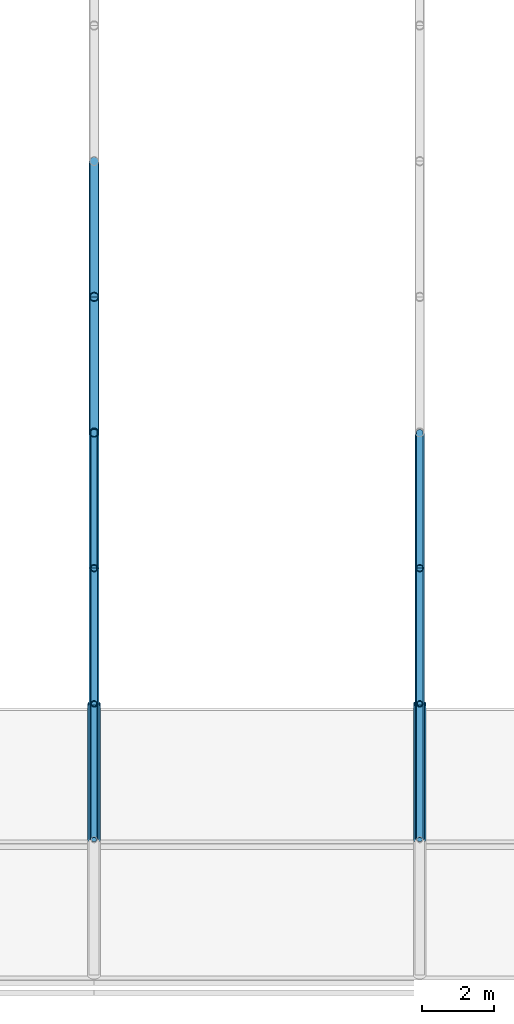
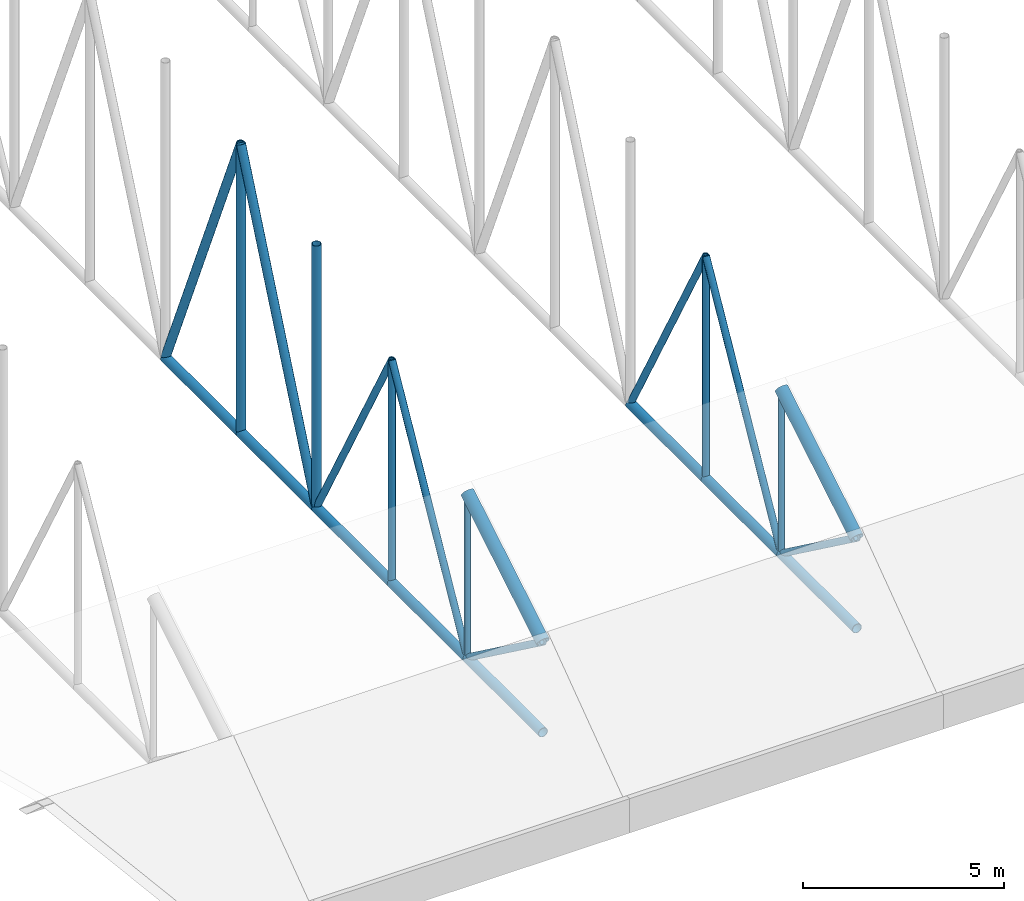
# One storey, part 60 of 153: 24 members.
"""IFC4 building model written with IfcOpenShell, lengths in metres."""

from ifc_helpers import new_model, si_unit, direction, frame, origin, origin_2d, place, context, subcontext, project, spatial, hollow_circle, extrude, material, material_profile, profile_set, type_object, element, save


model = new_model("IFC4")

# Units and contexts
model_context = context("Model", 3, precision=1e-05, world=origin(), true_north=direction((0.0, 1.0)))
body_context = subcontext(model_context, "Body", "Model", "MODEL_VIEW")
ifc_project = project(units=[si_unit("LENGTHUNIT", "METRE"), si_unit("AREAUNIT", "SQUARE_METRE"), si_unit("VOLUMEUNIT", "CUBIC_METRE"), si_unit("PLANEANGLEUNIT", "RADIAN"), si_unit("MASSUNIT", "GRAM", prefix="KILO")], contexts=[model_context])

# Site, building, storey
site_placement = place(None, origin())
site = spatial("IfcSite", under=ifc_project, at=site_placement, CompositionType="ELEMENT")
building_placement = place(site_placement, origin())
building = spatial("IfcBuilding", under=site, at=building_placement, Name="Baradari Gate Terminus", CompositionType="ELEMENT")
storey_placement = place(building_placement, frame((0.0, 0.0, 11.699951171875)))
storey = spatial("IfcBuildingStorey", under=building, at=storey_placement, Name="L02", CompositionType="ELEMENT", Elevation=11.699951171875)

# Members
ifc_material_1 = material(Name="Steel S355", Category="steel")
ifc_material_profile_1 = material_profile(ifc_material_1, hollow_circle(Radius=0.136474609375, WallThickness=0.012451171875, at=origin_2d()), Name="CHS 273x12.5")
ifc_profile_set_1 = profile_set([ifc_material_profile_1], Name="Steel S355")
member_type_1 = type_object("IfcMemberType", Name="Shed bottom chord CHS 273x12.5", PredefinedType="CHORD", material=ifc_profile_set_1)
for number, where, z_axis, x_axis, name in (
    (1, (207.0, 39.75, 0.136474609375), (0.0, 1.0, 0.0), (-1.0, 0.0, 0.0), "TR/L02/S207-BC01"),
    (2, (207.0, 43.5, 0.136474609375), (0.0, 1.0, 0.0), (-1.0, 0.0, 0.0), "TR/L02/S207-BC02"),
    (3, (207.0, 47.25, 0.136474609375), (0.0, 1.0, 0.0), (-1.0, 0.0, 0.0), "TR/L02/S207-BC03"),
    (4, (207.0, 51.0, 0.136474609375), (0.0, 1.0, 0.0), (-1.0, 0.0, 0.0), "TR/L02/S207-BC04"),
    (5, (207.0, 54.75, 0.136474609375), (0.0, 1.0, 0.0), (-1.0, 0.0, 0.0), "TR/L02/S207-BC05"),
    (6, (216.0, 39.75, 0.136474609375), (0.0, 1.0, 0.0), (-1.0, 0.0, 0.0), "TR/L02/S216-BC01"),
    (7, (216.0, 43.5, 0.136474609375), (0.0, 1.0, 0.0), (-1.0, 0.0, 0.0), "TR/L02/S216-BC02"),
    (8, (216.0, 47.25, 0.136474609375), (0.0, 1.0, 0.0), (-1.0, 0.0, 0.0), "TR/L02/S216-BC03"),
):
    element("IfcMember", number, at=place(storey_placement, frame(where, z_axis=z_axis, x_axis=x_axis)), inside=storey, type_object=member_type_1, Name=name, PredefinedType="CHORD", context=body_context, shape_type="SweptSolid", body=[
        extrude(hollow_circle(Radius=0.136474609375, WallThickness=0.012451171875, at=origin_2d()), origin(), (0.0, 0.0, 1.0), 3.75),
    ])
ifc_material_2 = material(Name="Steel S355", Category="steel")
ifc_material_profile_2 = material_profile(ifc_material_2, hollow_circle(Radius=0.177734375, WallThickness=0.01611328125, at=origin_2d()), Name="CHS 355.6x16")
ifc_profile_set_2 = profile_set([ifc_material_profile_2], Name="Steel S355")
member_type_2 = type_object("IfcMemberType", Name="Shed top chord CHS 355.6x16", PredefinedType="CHORD", material=ifc_profile_set_2)
for number, where, z_axis, x_axis, name in (
    (9, (207.0, 39.75, 2.886474609375), (0.0, 0.857492925713, 0.514495755428), (-1.0, 0.0, 0.0), "TR/L02/S207-TC01"),
    (10, (216.0, 39.75, 2.886474609375), (0.0, 0.857492925713, 0.514495755428), (-1.0, 0.0, 0.0), "TR/L02/S216-TC01"),
):
    element("IfcMember", number, at=place(storey_placement, frame(where, z_axis=z_axis, x_axis=x_axis)), inside=storey, type_object=member_type_2, Name=name, PredefinedType="CHORD", context=body_context, shape_type="SweptSolid", body=[
        extrude(hollow_circle(Radius=0.177734375, WallThickness=0.01611328125, at=origin_2d()), origin(), (0.0, 0.0, 1.0), 4.373291015625),
    ])
ifc_material_3 = material(Name="Steel S355", Category="steel")
ifc_material_profile_3 = material_profile(ifc_material_3, hollow_circle(Radius=0.096923828125, WallThickness=0.008056640625, at=origin_2d()), Name="CHS 193.7x8")
ifc_profile_set_3 = profile_set([ifc_material_profile_3], Name="Steel S355")
member_type_3 = type_object("IfcMemberType", Name="Shed truss diagonal CHS 193.7x8", PredefinedType="BRACE", material=ifc_profile_set_3)
member_1_placement = place(storey_placement, frame((207.0, 39.75, 2.886474609375), z_axis=(0.0, 0.806404995856, -0.591363663628), x_axis=(-1.0, 0.0, 0.0)))
element("IfcMember", 11, at=member_1_placement, inside=storey, type_object=member_type_3, Name="TR/L02/S207-SD01", PredefinedType="BRACE", context=body_context, shape_type="SweptSolid", body=[
    extrude(hollow_circle(Radius=0.096923828125, WallThickness=0.008056640625, at=origin_2d()), origin(), (0.0, 0.0, 1.0), 4.650390625),
])
for number, where, z_axis, x_axis, name in (
    (12, (207.0, 47.25, 6.886474609375), (0.0, -0.485642931179, -0.874157276122), (1.0, 0.0, 0.0), "TR/L02/S207-SD02"),
    (13, (207.0, 47.25, 6.886474609375), (0.0, 0.485642931179, -0.874157276122), (-1.0, 0.0, 0.0), "TR/L02/S207-SD03"),
):
    element("IfcMember", number, at=place(storey_placement, frame(where, z_axis=z_axis, x_axis=x_axis)), inside=storey, type_object=member_type_3, Name=name, PredefinedType="BRACE", context=body_context, shape_type="SweptSolid", body=[
        extrude(hollow_circle(Radius=0.096923828125, WallThickness=0.008056640625, at=origin_2d()), origin(), (0.0, 0.0, 1.0), 7.7216796875),
    ])
member_2_placement = place(storey_placement, frame((216.0, 39.75, 2.886474609375), z_axis=(0.0, 0.806404995856, -0.591363663628), x_axis=(-1.0, 0.0, 0.0)))
element("IfcMember", 14, at=member_2_placement, inside=storey, type_object=member_type_3, Name="TR/L02/S216-SD01", PredefinedType="BRACE", context=body_context, shape_type="SweptSolid", body=[
    extrude(hollow_circle(Radius=0.096923828125, WallThickness=0.008056640625, at=origin_2d()), origin(), (0.0, 0.0, 1.0), 4.650390625),
])
for number, where, z_axis, x_axis, name in (
    (15, (216.0, 47.25, 6.886474609375), (0.0, -0.485642931179, -0.874157276122), (1.0, 0.0, 0.0), "TR/L02/S216-SD02"),
    (16, (216.0, 47.25, 6.886474609375), (0.0, 0.485642931179, -0.874157276122), (-1.0, 0.0, 0.0), "TR/L02/S216-SD03"),
):
    element("IfcMember", number, at=place(storey_placement, frame(where, z_axis=z_axis, x_axis=x_axis)), inside=storey, type_object=member_type_3, Name=name, PredefinedType="BRACE", context=body_context, shape_type="SweptSolid", body=[
        extrude(hollow_circle(Radius=0.096923828125, WallThickness=0.008056640625, at=origin_2d()), origin(), (0.0, 0.0, 1.0), 7.7216796875),
    ])
ifc_material_4 = material(Name="Steel S355", Category="steel")
ifc_material_profile_4 = material_profile(ifc_material_4, hollow_circle(Radius=0.122314453125, WallThickness=0.010009765625, at=origin_2d()), Name="CHS 244.5x10")
ifc_profile_set_4 = profile_set([ifc_material_profile_4], Name="Steel S355")
member_type_4 = type_object("IfcMemberType", Name="Shed truss diagonal CHS 244.5x10", PredefinedType="BRACE", material=ifc_profile_set_4)
for number, where, z_axis, x_axis, name in (
    (17, (207.0, 54.75, 8.886474609375), (0.0, -0.393919298579, -0.919145030018), (1.0, 0.0, 0.0), "TR/L02/S207-SD04"),
    (18, (207.0, 54.75, 8.886474609375), (0.0, 0.393919298579, -0.919145030018), (-1.0, 0.0, 0.0), "TR/L02/S207-SD05"),
):
    element("IfcMember", number, at=place(storey_placement, frame(where, z_axis=z_axis, x_axis=x_axis)), inside=storey, type_object=member_type_4, Name=name, PredefinedType="BRACE", context=body_context, shape_type="SweptSolid", body=[
        extrude(hollow_circle(Radius=0.122314453125, WallThickness=0.010009765625, at=origin_2d()), origin(), (0.0, 0.0, 1.0), 9.519775390625),
    ])
ifc_material_5 = material(Name="Steel S355", Category="steel")
ifc_material_profile_5 = material_profile(ifc_material_5, hollow_circle(Radius=0.084228515625, WallThickness=0.008056640625, at=origin_2d()), Name="CHS 168.3x8")
ifc_profile_set_5 = profile_set([ifc_material_profile_5], Name="Steel S355")
member_type_5 = type_object("IfcMemberType", Name="Shed truss post CHS 168.3x8", PredefinedType="POST", material=ifc_profile_set_5)
for number, where, z_axis, x_axis, name in (
    (19, (207.0, 43.5, 0.136474609375), (0.0, 0.0, 1.0), (1.0, 0.0, 0.0), "TR/L02/S207-SP02"),
    (20, (216.0, 43.5, 0.136474609375), (0.0, 0.0, 1.0), (1.0, 0.0, 0.0), "TR/L02/S216-SP02"),
):
    element("IfcMember", number, at=place(storey_placement, frame(where, z_axis=z_axis, x_axis=x_axis)), inside=storey, type_object=member_type_5, Name=name, PredefinedType="POST", context=body_context, shape_type="SweptSolid", body=[
        extrude(hollow_circle(Radius=0.084228515625, WallThickness=0.008056640625, at=origin_2d()), origin(), (0.0, 0.0, 1.0), 5.0),
    ])
ifc_material_6 = material(Name="Steel S355", Category="steel")
ifc_material_profile_6 = material_profile(ifc_material_6, hollow_circle(Radius=0.096923828125, WallThickness=0.008056640625, at=origin_2d()), Name="CHS 193.7x8")
ifc_profile_set_6 = profile_set([ifc_material_profile_6], Name="Steel S355")
member_type_6 = type_object("IfcMemberType", Name="Shed truss post CHS 193.7x8", PredefinedType="POST", material=ifc_profile_set_6)
for number, where, z_axis, x_axis, name in (
    (21, (207.0, 47.25, 0.136474609375), (0.0, 0.0, 1.0), (1.0, 0.0, 0.0), "TR/L02/S207-SP03"),
    (22, (216.0, 47.25, 0.136474609375), (0.0, 0.0, 1.0), (1.0, 0.0, 0.0), "TR/L02/S216-SP03"),
):
    element("IfcMember", number, at=place(storey_placement, frame(where, z_axis=z_axis, x_axis=x_axis)), inside=storey, type_object=member_type_6, Name=name, PredefinedType="POST", context=body_context, shape_type="SweptSolid", body=[
        extrude(hollow_circle(Radius=0.096923828125, WallThickness=0.008056640625, at=origin_2d()), origin(), (0.0, 0.0, 1.0), 6.75),
    ])
ifc_material_7 = material(Name="Steel S355", Category="steel")
ifc_material_profile_7 = material_profile(ifc_material_7, hollow_circle(Radius=0.122314453125, WallThickness=0.010009765625, at=origin_2d()), Name="CHS 244.5x10")
ifc_profile_set_7 = profile_set([ifc_material_profile_7], Name="Steel S355")
member_type_7 = type_object("IfcMemberType", Name="Shed truss post CHS 244.5x10", PredefinedType="POST", material=ifc_profile_set_7)
member_3_placement = place(storey_placement, frame((207.0, 51.0, 0.136474609375), z_axis=(0.0, 0.0, 1.0), x_axis=(1.0, 0.0, 0.0)))
element("IfcMember", 23, at=member_3_placement, inside=storey, type_object=member_type_7, Name="TR/L02/S207-SP04", PredefinedType="POST", context=body_context, shape_type="SweptSolid", body=[
    extrude(hollow_circle(Radius=0.122314453125, WallThickness=0.010009765625, at=origin_2d()), origin(), (0.0, 0.0, 1.0), 8.0),
])
member_4_placement = place(storey_placement, frame((207.0, 54.75, 0.136474609375), z_axis=(0.0, 0.0, 1.0), x_axis=(1.0, 0.0, 0.0)))
element("IfcMember", 24, at=member_4_placement, inside=storey, type_object=member_type_7, Name="TR/L02/S207-SP05", PredefinedType="POST", context=body_context, shape_type="SweptSolid", body=[
    extrude(hollow_circle(Radius=0.122314453125, WallThickness=0.010009765625, at=origin_2d()), origin(), (0.0, 0.0, 1.0), 8.75),
])

save(model, "model.ifc")
